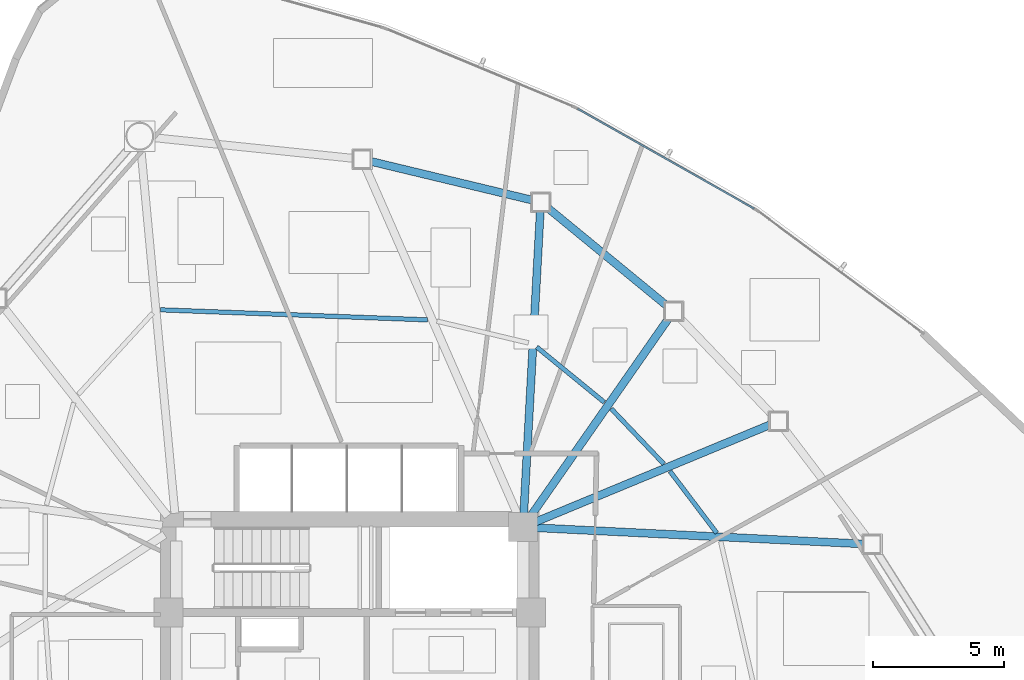
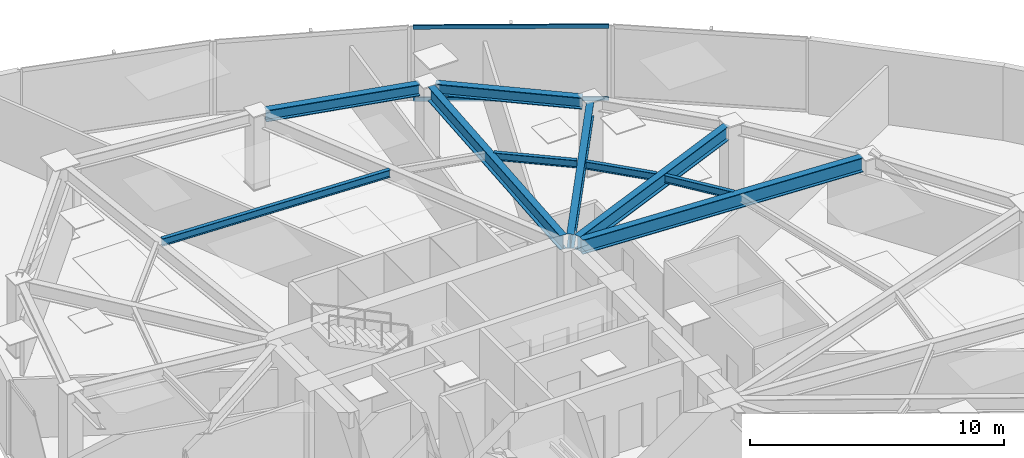
# One storey, part 8 of 18: 10 beams, 2 members, 1 element without a shape of its own.
"""IFC4 building model written with IfcOpenShell, lengths in metres."""

from ifc_helpers import new_model, si_unit, direction, frame, origin, origin_2d, place, context, subcontext, project, spatial, hollow_rectangle, i_section, extrude, source, transform, mapped, material, layer, layer_set, material_profile, profile_set, type_object, type_shapes, element, aggregate, save


model = new_model("IFC4")

# Units and contexts
model_context = context("Model", 3, precision=1e-05, world=origin(), true_north=direction((0.0, 1.0)))
body_context = subcontext(model_context, "Body", "Model", "MODEL_VIEW")
ifc_project = project(units=[si_unit("LENGTHUNIT", "METRE"), si_unit("AREAUNIT", "SQUARE_METRE"), si_unit("VOLUMEUNIT", "CUBIC_METRE"), si_unit("PLANEANGLEUNIT", "RADIAN"), si_unit("MASSUNIT", "GRAM", prefix="KILO")], contexts=[model_context])

# Site, building, storey
site_placement = place(None, origin())
site = spatial("IfcSite", under=ifc_project, at=site_placement, CompositionType="ELEMENT")
building_placement = place(site_placement, origin())
building = spatial("IfcBuilding", under=site, at=building_placement, Name="Tavelor Broadcast Tower", CompositionType="ELEMENT")
storey_placement = place(building_placement, frame((0.0, 0.0, 146.39990234375)))
storey = spatial("IfcBuildingStorey", under=building, at=storey_placement, Name="L34", CompositionType="ELEMENT", Elevation=146.39990234375)

# Beams
ifc_material_1 = material(Name="Steel S355", Category="steel")
ifc_material_profile_1 = material_profile(ifc_material_1, i_section(OverallWidth=0.169921875, OverallDepth=0.360107421875, WebThickness=0.008056640625, FlangeThickness=0.0126953125, at=origin_2d()), Name="IPE 360")
ifc_profile_set_1 = profile_set([ifc_material_profile_1], Name="Steel S355")
beam_type_1 = type_object("IfcBeamType", Name="Composite Floor Joist T3 IPE 360", PredefinedType="JOIST", material=ifc_profile_set_1)
beam_1_placement = place(storey_placement, frame((63.97509765625, 50.974853515625, 3.3701171875), z_axis=(-0.603343158319, 0.797481682116, 0.0), x_axis=(-0.797481682116, -0.603343158319, 0.0)))
element("IfcBeam", 1, at=beam_1_placement, inside=storey, type_object=beam_type_1, Name="L34 Secondary Composite Floor Joist 14", PredefinedType="JOIST", context=body_context, shape_type="SweptSolid", body=[
    extrude(i_section(OverallWidth=0.169921875, OverallDepth=0.360107421875, WebThickness=0.008056640625, FlangeThickness=0.0126953125, at=origin_2d()), origin(), (0.0, 0.0, 1.0), 2.951416015625),
])
beam_2_placement = place(storey_placement, frame((61.960205078125, 53.60400390625, 3.3701171875), z_axis=(-0.689436692526, 0.724345944283, 0.0), x_axis=(-0.724345944283, -0.689436692526, 0.0)))
element("IfcBeam", 2, at=beam_2_placement, inside=storey, type_object=beam_type_1, Name="L34 Secondary Composite Floor Joist 15", PredefinedType="JOIST", context=body_context, shape_type="SweptSolid", body=[
    extrude(i_section(OverallWidth=0.169921875, OverallDepth=0.360107421875, WebThickness=0.008056640625, FlangeThickness=0.0126953125, at=origin_2d()), origin(), (0.0, 0.0, 1.0), 2.90234375),
])
beam_3_placement = place(storey_placement, frame((59.6943359375, 55.951904296875, 3.3701171875), z_axis=(-0.774130723206, 0.633025768345, 0.0), x_axis=(-0.633025768345, -0.774130723206, 0.0)))
element("IfcBeam", 3, at=beam_3_placement, inside=storey, type_object=beam_type_1, Name="L34 Secondary Composite Floor Joist 16", PredefinedType="JOIST", context=body_context, shape_type="SweptSolid", body=[
    extrude(i_section(OverallWidth=0.169921875, OverallDepth=0.360107421875, WebThickness=0.008056640625, FlangeThickness=0.0126953125, at=origin_2d()), origin(), (0.0, 0.0, 1.0), 3.32373046875),
])
beam_4_placement = place(storey_placement, frame((52.969970703125, 59.08837890625, 3.3701171875), z_axis=(-0.999289376722, 0.037692725691, 0.0), x_axis=(-0.037692725691, -0.999289376722, 0.0)))
element("IfcBeam", 4, at=beam_4_placement, inside=storey, type_object=beam_type_1, Name="L34 Secondary Composite Floor Joist 18", PredefinedType="JOIST", context=body_context, shape_type="SweptSolid", body=[
    extrude(i_section(OverallWidth=0.169921875, OverallDepth=0.360107421875, WebThickness=0.008056640625, FlangeThickness=0.0126953125, at=origin_2d()), origin(), (0.0, 0.0, 1.0), 10.169189453125),
])
ifc_material_profile_2 = material_profile(ifc_material_1, i_section(OverallWidth=0.300048828125, OverallDepth=0.550048828125, WebThickness=0.014892578125, FlangeThickness=0.029052734375, at=origin_2d()), Name="HEB 550")
ifc_profile_set_2 = profile_set([ifc_material_profile_2], Name="Steel S355")
beam_type_2 = type_object("IfcBeamType", Name="Perimeter Spandrel Beam T3 HEB 550", PredefinedType="SPANDREL", material=ifc_profile_set_2)
beam_5_placement = place(storey_placement, frame((62.0712890625, 59.62939453125, 3.275146484375), z_axis=(-0.772702936962, 0.634767808896, 0.0), x_axis=(-0.634767808896, -0.772702936962, 0.0)))
element("IfcBeam", 5, at=beam_5_placement, inside=storey, type_object=beam_type_2, Name="L34 Framed-Tube Ring Spandrel 16", PredefinedType="SPANDREL", context=body_context, shape_type="SweptSolid", body=[
    extrude(i_section(OverallWidth=0.300048828125, OverallDepth=0.550048828125, WebThickness=0.014892578125, FlangeThickness=0.029052734375, at=origin_2d()), origin(), (0.0, 0.0, 1.0), 5.869140625),
])
beam_6_placement = place(storey_placement, frame((56.949951171875, 63.64697265625, 3.275146484375), z_axis=(-0.972363823797, 0.233470756565, 0.0), x_axis=(-0.233470756565, -0.972363823797, 0.0)))
element("IfcBeam", 6, at=beam_6_placement, inside=storey, type_object=beam_type_2, Name="L34 Framed-Tube Ring Spandrel 17", PredefinedType="SPANDREL", context=body_context, shape_type="SweptSolid", body=[
    extrude(i_section(OverallWidth=0.300048828125, OverallDepth=0.550048828125, WebThickness=0.014892578125, FlangeThickness=0.029052734375, at=origin_2d()), origin(), (0.0, 0.0, 1.0), 6.325439453125),
])
ifc_material_profile_3 = material_profile(ifc_material_1, i_section(OverallWidth=0.300048828125, OverallDepth=0.68994140625, WebThickness=0.014404296875, FlangeThickness=0.027099609375, at=origin_2d()), Name="HEA 700")
ifc_profile_set_3 = profile_set([ifc_material_profile_3], Name="Steel S355")
beam_type_3 = type_object("IfcBeamType", Name="Radial Floor Girder T3 HEA 700", PredefinedType="BEAM", material=ifc_profile_set_3)
beam_7_placement = place(storey_placement, frame((57.12744140625, 51.174072265625, 3.205078125), z_axis=(0.998783710906, -0.04930617435, 0.0), x_axis=(0.04930617435, 0.998783710906, 0.0)))
element("IfcBeam", 7, at=beam_7_placement, inside=storey, type_object=beam_type_3, Name="L34 Radial Primary Floor Girder 14", PredefinedType="BEAM", context=body_context, shape_type="SweptSolid", body=[
    extrude(i_section(OverallWidth=0.300048828125, OverallDepth=0.68994140625, WebThickness=0.014404296875, FlangeThickness=0.027099609375, at=origin_2d()), origin(), (0.0, 0.0, 1.0), 12.438232421875),
])
beam_8_placement = place(storey_placement, frame((57.087890625, 51.402099609375, 3.205078125), z_axis=(0.92381625254, 0.382836168018, 0.0), x_axis=(-0.382836168018, 0.92381625254, 0.0)))
element("IfcBeam", 8, at=beam_8_placement, inside=storey, type_object=beam_type_3, Name="L34 Radial Primary Floor Girder 15", PredefinedType="BEAM", context=body_context, shape_type="SweptSolid", body=[
    extrude(i_section(OverallWidth=0.300048828125, OverallDepth=0.68994140625, WebThickness=0.014404296875, FlangeThickness=0.027099609375, at=origin_2d()), origin(), (0.0, 0.0, 1.0), 9.659423828125),
])
beam_9_placement = place(storey_placement, frame((56.902099609375, 51.633056640625, 3.205078125), z_axis=(0.572088555537, 0.820191858423, 0.0), x_axis=(-0.820191858423, 0.572088555537, 0.0)))
element("IfcBeam", 9, at=beam_9_placement, inside=storey, type_object=beam_type_3, Name="L34 Radial Primary Floor Girder 16", PredefinedType="BEAM", context=body_context, shape_type="SweptSolid", body=[
    extrude(i_section(OverallWidth=0.300048828125, OverallDepth=0.68994140625, WebThickness=0.014404296875, FlangeThickness=0.027099609375, at=origin_2d()), origin(), (0.0, 0.0, 1.0), 9.1533203125),
])
beam_10_placement = place(storey_placement, frame((56.62890625, 51.727294921875, 3.205078125), z_axis=(0.054621583664, 0.998507126964, 0.0), x_axis=(-0.998507126964, 0.054621583664, 0.0)))
element("IfcBeam", 10, at=beam_10_placement, inside=storey, type_object=beam_type_3, Name="L34 Radial Primary Floor Girder 17", PredefinedType="BEAM", context=body_context, shape_type="SweptSolid", body=[
    extrude(i_section(OverallWidth=0.300048828125, OverallDepth=0.68994140625, WebThickness=0.014404296875, FlangeThickness=0.027099609375, at=origin_2d()), origin(), (0.0, 0.0, 1.0), 11.522705078125),
])

# Curtain wall, members
ifc_material_2 = material(Name="Architectural Anodized Aluminium", Category="aluminium")
ifc_layer = layer(ifc_material_2, 0.18994140625)
ifc_layer_set = layer_set([ifc_layer], Name="Architectural Anodized Aluminium")
curtain_wall_type = type_object("IfcCurtainWallType", Name="Tower Mid-Zone Acoustic Curtain Wall CW03", PredefinedType="NOTDEFINED", material=ifc_layer_set)
curtain_wall_placement = place(storey_placement, origin())
curtain_wall = element("IfcCurtainWall", 11, at=curtain_wall_placement, inside=storey, type_object=curtain_wall_type, Name="L34 Curtain Wall CW03 Run 358", PredefinedType="NOTDEFINED")
ifc_material_profile_4 = material_profile(ifc_material_2, hollow_rectangle(XDim=0.068115234375, YDim=0.18994140625, WallThickness=0.02197265625, at=origin_2d()), Name="RHS 68x190x22")
ifc_profile_set_4 = profile_set([ifc_material_profile_4], Name="Architectural Anodized Aluminium")
member_type = type_object("IfcMemberType", Name="CW03 Extruded Aluminium Transom 68x190", PredefinedType="USERDEFINED", material=ifc_profile_set_4)
shared_shape = source(origin(), body_context, "Body", "SweptSolid", [
    extrude(hollow_rectangle(XDim=0.068115234375, YDim=0.18994140625, WallThickness=0.02197265625, at=origin_2d()), origin(), (0.0, 0.0, 1.0), 7.719482421875),
])
type_shapes(member_type, [shared_shape])
member_1_placement = place(storey_placement, frame((65.39892578125, 63.32080078125, 0.0341796875), z_axis=(-0.870153743408, 0.492780339332, 0.0), x_axis=(-0.492780339332, -0.870153743408, 0.0)))
member_1 = element("IfcMember", 12, at=member_1_placement, type_object=member_type, Name="CW03 transom 1.1", ObjectType="TRANSOM", PredefinedType="USERDEFINED", context=body_context, shape_type="MappedRepresentation", body=[
    mapped(shared_shape, transform((0.0, 0.0, 0.0), scale=1.0)),
])
member_2_placement = place(storey_placement, frame((65.39892578125, 63.32080078125, 3.51611328125), z_axis=(-0.870153743408, 0.492780339332, 0.0), x_axis=(-0.492780339332, -0.870153743408, 0.0)))
member_2 = element("IfcMember", 13, at=member_2_placement, type_object=member_type, Name="CW03 transom 1.2", ObjectType="TRANSOM", PredefinedType="USERDEFINED", context=body_context, shape_type="MappedRepresentation", body=[
    mapped(shared_shape, transform((0.0, 0.0, 0.0), scale=1.0)),
])
aggregate(curtain_wall, [member_1, member_2])

save(model, "model.ifc")
